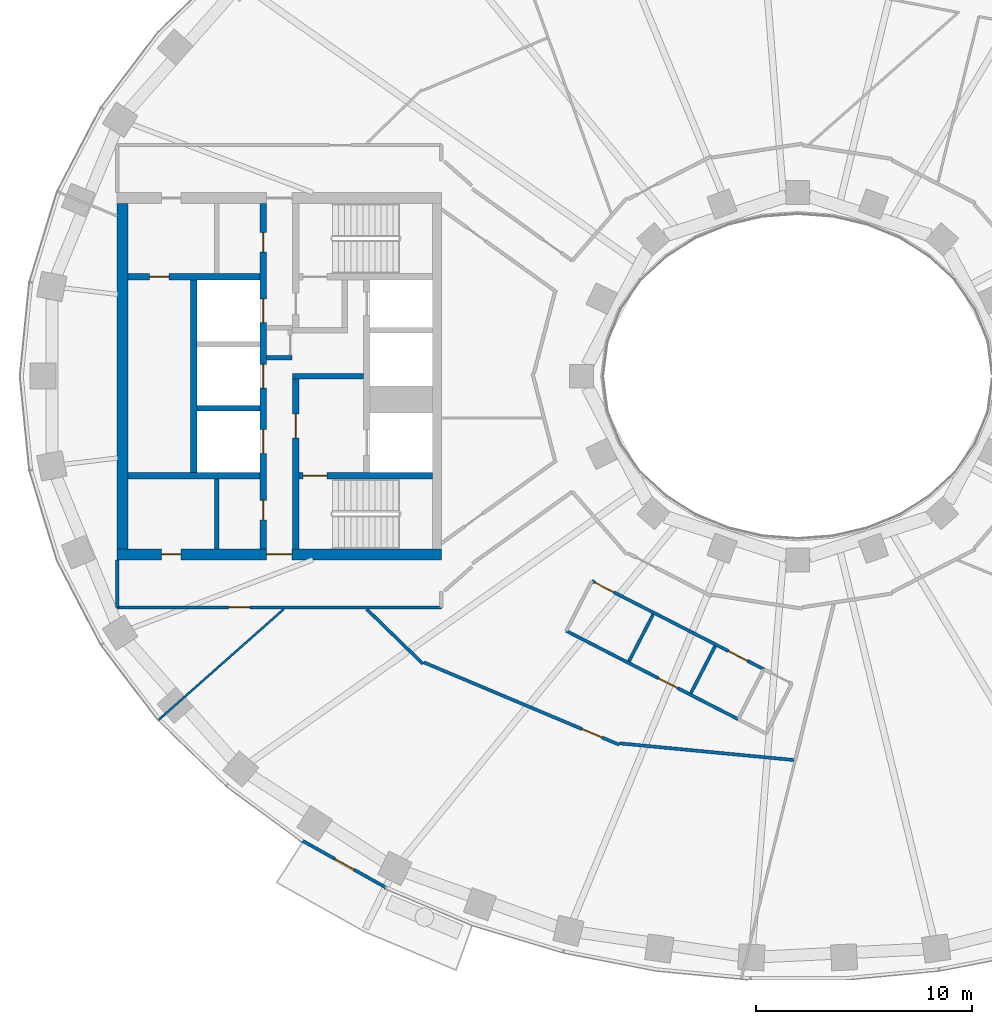
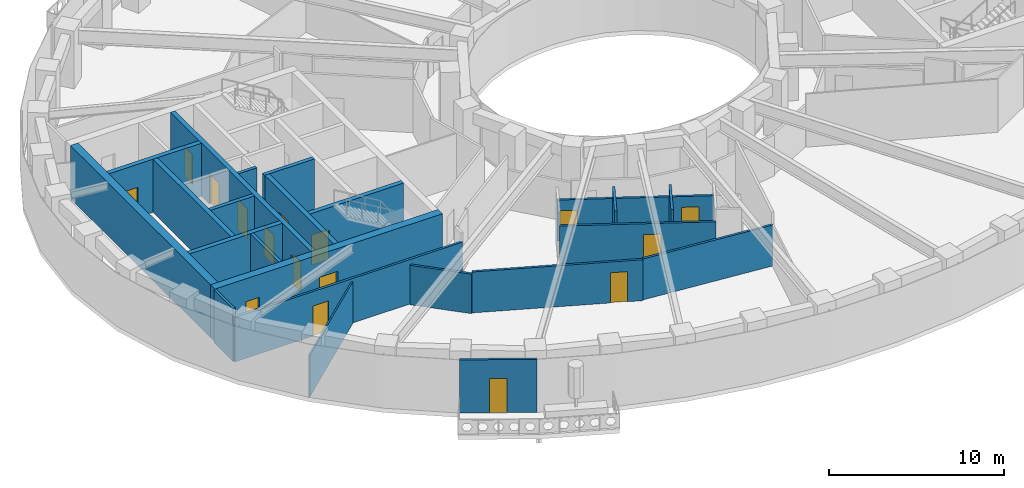
# One storey, part 3 of 15: 23 walls, 16 doors, 16 openings.
"""IFC4 building model written with IfcOpenShell, lengths in metres."""

from ifc_helpers import new_model, si_unit, direction, frame, frame_2d, origin, place, context, subcontext, project, spatial, rectangle, extrude, material, layer, layer_set, type_object, element, fill, save


model = new_model("IFC4")

# Units and contexts
model_context = context("Model", 3, precision=1e-05, world=origin(), true_north=direction((0.0, 1.0)))
body_context = subcontext(model_context, "Body", "Model", "MODEL_VIEW")
ifc_project = project(units=[si_unit("LENGTHUNIT", "METRE"), si_unit("AREAUNIT", "SQUARE_METRE"), si_unit("VOLUMEUNIT", "CUBIC_METRE"), si_unit("PLANEANGLEUNIT", "RADIAN"), si_unit("MASSUNIT", "GRAM", prefix="KILO")], contexts=[model_context])

# Site, building, storey
site_placement = place(None, origin())
site = spatial("IfcSite", under=ifc_project, at=site_placement, CompositionType="ELEMENT")
building_placement = place(site_placement, origin())
building = spatial("IfcBuilding", under=site, at=building_placement, Name="Noorbagh Ring Tower", CompositionType="ELEMENT")
storey_placement = place(building_placement, frame((0.0, 0.0, 170.0)))
storey = spatial("IfcBuildingStorey", under=building, at=storey_placement, Name="L39", CompositionType="ELEMENT", Elevation=170.0)

# Walls
ifc_material_1 = material(Name="Gypsum board on steel studs", Category="steel")
ifc_layer_1 = layer(ifc_material_1, 0.199951171875)
ifc_layer_set_1 = layer_set([ifc_layer_1], Name="Gypsum board on steel studs")
wall_type_1 = type_object("IfcWallType", Name="CORE-PARTITION-200", PredefinedType="PARTITIONING", material=ifc_layer_set_1)
wall_1_placement = place(storey_placement, frame((-23.39990234375, 0.85009765625, 0.0), z_axis=(0.0, 0.0, 1.0), x_axis=(-1.0, 0.0, 0.0)))
element("IfcWall", 1, at=wall_1_placement, inside=storey, type_object=wall_type_1, Name="Core partition W", PredefinedType="PARTITIONING", context=body_context, shape_type="SweptSolid", body=[
    extrude(rectangle(XDim=1.2001953125, YDim=0.199951171875, at=frame_2d((0.60009765625, 0.0))), origin(), (0.0, 0.0, 1.0), 3.699951171875),
])
wall_2_placement = place(storey_placement, frame((-26.89990234375, -8.0, 0.0), z_axis=(0.0, 0.0, 1.0), x_axis=(0.0, 1.0, 0.0)))
element("IfcWall", 2, at=wall_2_placement, inside=storey, type_object=wall_type_1, Name="Core partition W", PredefinedType="PARTITIONING", context=body_context, shape_type="SweptSolid", body=[
    extrude(rectangle(XDim=3.25, YDim=0.199951171875, at=frame_2d((1.625, 0.0))), origin(), (0.0, 0.0, 1.0), 3.699951171875),
])
ifc_material_2 = material(Name="Concrete C60/75", Category="concrete")
ifc_layer_2 = layer(ifc_material_2, 0.25)
ifc_layer_set_2 = layer_set([ifc_layer_2], Name="Concrete C60/75")
wall_type_2 = type_object("IfcWallType", Name="CORE-WALL-250-C60-75-EI120", PredefinedType="SHEAR", material=ifc_layer_set_2)
wall_3_placement = place(storey_placement, frame((-24.89990234375, -1.47509765625, 0.0), z_axis=(0.0, 0.0, 1.0), x_axis=(-1.0, 0.0, 0.0)))
element("IfcWall", 3, at=wall_3_placement, inside=storey, type_object=wall_type_2, Name="Core wall W", PredefinedType="SHEAR", context=body_context, shape_type="SweptSolid", body=[
    extrude(rectangle(XDim=2.900146484375, YDim=0.25, at=frame_2d((1.4501953125, 0.0))), origin(), (0.0, 0.0, 1.0), 3.699951171875),
])
ifc_material_3 = material(Name="Concrete C60/75", Category="concrete")
ifc_layer_3 = layer(ifc_material_3, 0.25)
ifc_layer_set_3 = layer_set([ifc_layer_3], Name="Concrete C60/75")
wall_type_3 = type_object("IfcWallType", Name="CORE-WALL-250-C60-75-EI240", PredefinedType="SHEAR", material=ifc_layer_set_3)
wall_4_placement = place(storey_placement, frame((-20.10009765625, 0.0, 0.0), z_axis=(0.0, 0.0, 1.0), x_axis=(-1.0, 0.0, 0.0)))
element("IfcWall", 4, at=wall_4_placement, inside=storey, type_object=wall_type_3, Name="Core wall W", PredefinedType="SHEAR", context=body_context, shape_type="SweptSolid", body=[
    extrude(rectangle(XDim=3.27978515625, YDim=0.25, at=frame_2d((1.639892578125, 0.0))), origin(), (0.0, 0.0, 1.0), 3.699951171875),
])
ifc_material_4 = material(Name="Concrete C60/75", Category="concrete")
ifc_layer_4 = layer(ifc_material_4, 0.300048828125)
ifc_layer_set_4 = layer_set([ifc_layer_4], Name="Concrete C60/75")
wall_type_4 = type_object("IfcWallType", Name="CORE-WALL-300-C60-75-EI120", PredefinedType="SHEAR", material=ifc_layer_set_4)
wall_5_placement = place(storey_placement, frame((-27.949951171875, -4.449951171875, 0.0), z_axis=(0.0, 0.0, 1.0), x_axis=(0.0, 1.0, 0.0)))
element("IfcWall", 5, at=wall_5_placement, inside=storey, type_object=wall_type_4, Name="Core wall W", PredefinedType="SHEAR", context=body_context, shape_type="SweptSolid", body=[
    extrude(rectangle(XDim=8.89990234375, YDim=0.300048828125, at=frame_2d((4.449951171875, 0.0))), origin(), (0.0, 0.0, 1.0), 3.699951171875),
])

# Wall, openings, doors
wall_6_placement = place(storey_placement, frame((-24.75, -8.0, 0.0), z_axis=(0.0, 0.0, 1.0), x_axis=(0.0, 1.0, 0.0)))
wall_6 = element("IfcWall", 6, at=wall_6_placement, inside=storey, type_object=wall_type_4, Name="Core wall W", PredefinedType="SHEAR", context=body_context, shape_type="SweptSolid", body=[
    extrude(rectangle(XDim=16.0, YDim=0.300048828125, at=frame_2d((8.0, 0.0))), origin(), (0.0, 0.0, 1.0), 3.699951171875),
])
opening_1_placement = place(wall_6_placement, frame((4.425048828125, 0.0, 0.0)))
opening_1 = element("IfcOpeningElement", 7, at=opening_1_placement, cuts=wall_6, Name="Opening L39-CW03", PredefinedType="OPENING", context=body_context, shape_type="SweptSolid", body=[
    extrude(rectangle(XDim=1.10009765625, YDim=2.10009765625, at=frame_2d((0.550048828125, 1.050048828125))), frame((0.0, 0.16015625, 0.0), z_axis=(0.0, -1.0, 0.0), x_axis=(1.0, 0.0, 0.0)), (0.0, 0.0, 1.0), 0.320068359375),
])
opening_2_placement = place(wall_6_placement, frame((7.449951171875, 0.0, 0.0)))
opening_2 = element("IfcOpeningElement", 8, at=opening_2_placement, cuts=wall_6, Name="Opening L39-CW04", PredefinedType="OPENING", context=body_context, shape_type="SweptSolid", body=[
    extrude(rectangle(XDim=1.10009765625, YDim=2.10009765625, at=frame_2d((0.550048828125, 1.050048828125))), frame((0.0, 0.16015625, 0.0), z_axis=(0.0, -1.0, 0.0), x_axis=(1.0, 0.0, 0.0)), (0.0, 0.0, 1.0), 0.320068359375),
])
opening_3_placement = place(wall_6_placement, frame((10.47509765625, 0.0, 0.0)))
opening_3 = element("IfcOpeningElement", 9, at=opening_3_placement, cuts=wall_6, Name="Opening L39-CW05", PredefinedType="OPENING", context=body_context, shape_type="SweptSolid", body=[
    extrude(rectangle(XDim=1.10009765625, YDim=2.10009765625, at=frame_2d((0.550048828125, 1.050048828125))), frame((0.0, 0.16015625, 0.0), z_axis=(0.0, -1.0, 0.0), x_axis=(1.0, 0.0, 0.0)), (0.0, 0.0, 1.0), 0.320068359375),
])
opening_4_placement = place(wall_6_placement, frame((13.75, 0.0, 0.0)))
opening_4 = element("IfcOpeningElement", 10, at=opening_4_placement, cuts=wall_6, Name="Opening L39-CW12", PredefinedType="OPENING", context=body_context, shape_type="SweptSolid", body=[
    extrude(rectangle(XDim=0.89990234375, YDim=2.10009765625, at=frame_2d((0.449951171875, 1.050048828125))), frame((0.0, 0.16015625, 0.0), z_axis=(0.0, -1.0, 0.0), x_axis=(1.0, 0.0, 0.0)), (0.0, 0.0, 1.0), 0.320068359375),
])
opening_5_placement = place(wall_6_placement, frame((1.35009765625, 0.0, 0.0)))
opening_5 = element("IfcOpeningElement", 11, at=opening_5_placement, cuts=wall_6, Name="Opening L39-CW14", PredefinedType="OPENING", context=body_context, shape_type="SweptSolid", body=[
    extrude(rectangle(XDim=0.89990234375, YDim=2.10009765625, at=frame_2d((0.449951171875, 1.050048828125))), frame((0.0, 0.16015625, 0.0), z_axis=(0.0, -1.0, 0.0), x_axis=(1.0, 0.0, 0.0)), (0.0, 0.0, 1.0), 0.320068359375),
])
ifc_material_5 = material(Name="Steel door leaf", Category="steel")
door_type_1 = type_object("IfcDoorType", Name="CORE-DOOR-DROOM", OperationType="SINGLE_SWING_LEFT", PredefinedType="DOOR", material=ifc_material_5)
door_1_placement = place(opening_4_placement, origin())
door_1 = element("IfcDoor", 12, at=door_1_placement, inside=storey, type_object=door_type_1, Name="Core room door L39-CW12", OperationType="SINGLE_SWING_RIGHT", OverallHeight=2.10009765625, OverallWidth=0.89990234375, PredefinedType="DOOR", context=body_context, shape_type="SweptSolid", body=[
    extrude(rectangle(XDim=0.89990234375, YDim=2.10009765625, at=frame_2d((0.449951171875, 1.050048828125))), frame((0.0, 0.02490234375, 0.0), z_axis=(0.0, -1.0, 0.0), x_axis=(1.0, 0.0, 0.0)), (0.0, 0.0, 1.0), 0.050048828125),
])
fill(opening_4, door_1)
door_2_placement = place(opening_5_placement, origin())
door_2 = element("IfcDoor", 13, at=door_2_placement, inside=storey, type_object=door_type_1, Name="Core room door L39-CW14", OperationType="SINGLE_SWING_LEFT", OverallHeight=2.10009765625, OverallWidth=0.89990234375, PredefinedType="DOOR", context=body_context, shape_type="SweptSolid", body=[
    extrude(rectangle(XDim=0.89990234375, YDim=2.10009765625, at=frame_2d((0.449951171875, 1.050048828125))), frame((0.0, 0.02490234375, 0.0), z_axis=(0.0, -1.0, 0.0), x_axis=(1.0, 0.0, 0.0)), (0.0, 0.0, 1.0), 0.050048828125),
])
fill(opening_5, door_2)
ifc_material_6 = material(Name="Steel door leaf", Category="steel")
door_type_2 = type_object("IfcDoorType", Name="CORE-DOOR-LD", OperationType="DOUBLE_DOOR_SLIDING", PredefinedType="DOOR", material=ifc_material_6)
door_3_placement = place(opening_1_placement, origin())
door_3 = element("IfcDoor", 14, at=door_3_placement, inside=storey, type_object=door_type_2, Name="Landing door HR2 L39-CW03", OperationType="DOUBLE_DOOR_SLIDING", OverallHeight=2.10009765625, OverallWidth=1.10009765625, PredefinedType="DOOR", context=body_context, shape_type="SweptSolid", body=[
    extrude(rectangle(XDim=1.10009765625, YDim=2.10009765625, at=frame_2d((0.550048828125, 1.050048828125))), frame((0.0, 0.02490234375, 0.0), z_axis=(0.0, -1.0, 0.0), x_axis=(1.0, 0.0, 0.0)), (0.0, 0.0, 1.0), 0.050048828125),
])
fill(opening_1, door_3)
door_4_placement = place(opening_2_placement, origin())
door_4 = element("IfcDoor", 15, at=door_4_placement, inside=storey, type_object=door_type_2, Name="Landing door HR3 L39-CW04", OperationType="DOUBLE_DOOR_SLIDING", OverallHeight=2.10009765625, OverallWidth=1.10009765625, PredefinedType="DOOR", context=body_context, shape_type="SweptSolid", body=[
    extrude(rectangle(XDim=1.10009765625, YDim=2.10009765625, at=frame_2d((0.550048828125, 1.050048828125))), frame((0.0, 0.02490234375, 0.0), z_axis=(0.0, -1.0, 0.0), x_axis=(1.0, 0.0, 0.0)), (0.0, 0.0, 1.0), 0.050048828125),
])
fill(opening_2, door_4)
door_5_placement = place(opening_3_placement, origin())
door_5 = element("IfcDoor", 16, at=door_5_placement, inside=storey, type_object=door_type_2, Name="Landing door HR4 L39-CW05", OperationType="DOUBLE_DOOR_SLIDING", OverallHeight=2.10009765625, OverallWidth=1.10009765625, PredefinedType="DOOR", context=body_context, shape_type="SweptSolid", body=[
    extrude(rectangle(XDim=1.10009765625, YDim=2.10009765625, at=frame_2d((0.550048828125, 1.050048828125))), frame((0.0, 0.02490234375, 0.0), z_axis=(0.0, -1.0, 0.0), x_axis=(1.0, 0.0, 0.0)), (0.0, 0.0, 1.0), 0.050048828125),
])
fill(opening_3, door_5)

# Wall, opening, door
ifc_material_7 = material(Name="Concrete C60/75", Category="concrete")
ifc_layer_5 = layer(ifc_material_7, 0.300048828125)
ifc_layer_set_5 = layer_set([ifc_layer_5], Name="Concrete C60/75")
wall_type_5 = type_object("IfcWallType", Name="CORE-WALL-300-C60-75-EI240", PredefinedType="SHEAR", material=ifc_layer_set_5)
wall_7_placement = place(storey_placement, frame((-24.89990234375, 4.60009765625, 0.0), z_axis=(0.0, 0.0, 1.0), x_axis=(-1.0, 0.0, 0.0)))
wall_7 = element("IfcWall", 17, at=wall_7_placement, inside=storey, type_object=wall_type_5, Name="Core wall W", PredefinedType="SHEAR", context=body_context, shape_type="SweptSolid", body=[
    extrude(rectangle(XDim=6.10009765625, YDim=0.300048828125, at=frame_2d((3.050048828125, 0.0))), origin(), (0.0, 0.0, 1.0), 3.699951171875),
])
opening_6_placement = place(wall_7_placement, frame((4.199951171875, 0.0, 0.0)))
opening_6 = element("IfcOpeningElement", 18, at=opening_6_placement, cuts=wall_7, Name="Opening L39-CW17", PredefinedType="OPENING", context=body_context, shape_type="SweptSolid", body=[
    extrude(rectangle(XDim=0.89990234375, YDim=2.10009765625, at=frame_2d((0.449951171875, 1.050048828125))), frame((0.0, 0.16015625, 0.0), z_axis=(0.0, -1.0, 0.0), x_axis=(1.0, 0.0, 0.0)), (0.0, 0.0, 1.0), 0.320068359375),
])
door_6_placement = place(opening_6_placement, origin())
door_6 = element("IfcDoor", 19, at=door_6_placement, inside=storey, type_object=door_type_1, Name="Core room door L39-CW17", OperationType="SINGLE_SWING_LEFT", OverallHeight=2.10009765625, OverallWidth=0.89990234375, PredefinedType="DOOR", context=body_context, shape_type="SweptSolid", body=[
    extrude(rectangle(XDim=0.89990234375, YDim=2.10009765625, at=frame_2d((0.449951171875, 1.050048828125))), frame((0.0, 0.02490234375, 0.0), z_axis=(0.0, -1.0, 0.0), x_axis=(1.0, 0.0, 0.0)), (0.0, 0.0, 1.0), 0.050048828125),
])
fill(opening_6, door_6)

# Wall
wall_8_placement = place(storey_placement, frame((-24.89990234375, -4.60009765625, 0.0), z_axis=(0.0, 0.0, 1.0), x_axis=(-1.0, 0.0, 0.0)))
element("IfcWall", 20, at=wall_8_placement, inside=storey, type_object=wall_type_5, Name="Core wall W", PredefinedType="SHEAR", context=body_context, shape_type="SweptSolid", body=[
    extrude(rectangle(XDim=6.10009765625, YDim=0.300048828125, at=frame_2d((3.050048828125, 0.0))), origin(), (0.0, 0.0, 1.0), 3.699951171875),
])

# Wall, opening, door
wall_9_placement = place(storey_placement, frame((-23.22998046875, -8.0, 0.0), z_axis=(0.0, 0.0, 1.0), x_axis=(0.0, 1.0, 0.0)))
wall_9 = element("IfcWall", 21, at=wall_9_placement, inside=storey, type_object=wall_type_5, Name="Core wall W", PredefinedType="SHEAR", context=body_context, shape_type="SweptSolid", body=[
    extrude(rectangle(XDim=7.875, YDim=0.300048828125, at=frame_2d((3.9375, 0.0))), origin(), (0.0, 0.0, 1.0), 3.699951171875),
])
opening_7_placement = place(wall_9_placement, frame((5.14990234375, 0.0, 0.0)))
opening_7 = element("IfcOpeningElement", 22, at=opening_7_placement, cuts=wall_9, Name="Opening L39-CW08", PredefinedType="OPENING", context=body_context, shape_type="SweptSolid", body=[
    extrude(rectangle(XDim=1.10009765625, YDim=2.10009765625, at=frame_2d((0.550048828125, 1.050048828125))), frame((0.0, 0.16015625, 0.0), z_axis=(0.0, -1.0, 0.0), x_axis=(1.0, 0.0, 0.0)), (0.0, 0.0, 1.0), 0.320068359375),
])
ifc_material_8 = material(Name="Steel door leaf", Category="steel")
door_type_3 = type_object("IfcDoorType", Name="CORE-DOOR-DFF", OperationType="SINGLE_SWING_LEFT", PredefinedType="DOOR", material=ifc_material_8)
door_7_placement = place(opening_7_placement, origin())
door_7 = element("IfcDoor", 23, at=door_7_placement, inside=storey, type_object=door_type_3, Name="Firefighting lobby door L39-CW08", OperationType="SINGLE_SWING_LEFT", OverallHeight=2.10009765625, OverallWidth=1.10009765625, PredefinedType="DOOR", context=body_context, shape_type="SweptSolid", body=[
    extrude(rectangle(XDim=1.10009765625, YDim=2.10009765625, at=frame_2d((0.550048828125, 1.050048828125))), frame((0.0, 0.02490234375, 0.0), z_axis=(0.0, -1.0, 0.0), x_axis=(1.0, 0.0, 0.0)), (0.0, 0.0, 1.0), 0.050048828125),
])
fill(opening_7, door_7)

wall_10_placement = place(storey_placement, frame((-16.89990234375, -4.60009765625, 0.0), z_axis=(0.0, 0.0, 1.0), x_axis=(-1.0, 0.0, 0.0)))
wall_10 = element("IfcWall", 24, at=wall_10_placement, inside=storey, type_object=wall_type_5, Name="Core wall W", PredefinedType="SHEAR", context=body_context, shape_type="SweptSolid", body=[
    extrude(rectangle(XDim=6.18017578125, YDim=0.300048828125, at=frame_2d((3.090087890625, 0.0))), origin(), (0.0, 0.0, 1.0), 3.699951171875),
])
opening_8_placement = place(wall_10_placement, frame((4.89990234375, 0.0, 0.0)))
opening_8 = element("IfcOpeningElement", 25, at=opening_8_placement, cuts=wall_10, Name="Opening L39-CW07", PredefinedType="OPENING", context=body_context, shape_type="SweptSolid", body=[
    extrude(rectangle(XDim=1.10009765625, YDim=2.10009765625, at=frame_2d((0.550048828125, 1.050048828125))), frame((0.0, 0.16015625, 0.0), z_axis=(0.0, -1.0, 0.0), x_axis=(1.0, 0.0, 0.0)), (0.0, 0.0, 1.0), 0.320068359375),
])
ifc_material_9 = material(Name="Steel door leaf", Category="steel")
door_type_4 = type_object("IfcDoorType", Name="CORE-DOOR-DSTAIR", OperationType="SINGLE_SWING_LEFT", PredefinedType="DOOR", material=ifc_material_9)
door_8_placement = place(opening_8_placement, origin())
door_8 = element("IfcDoor", 26, at=door_8_placement, inside=storey, type_object=door_type_4, Name="Stair door ST2 L39-CW07", OperationType="SINGLE_SWING_LEFT", OverallHeight=2.10009765625, OverallWidth=1.10009765625, PredefinedType="DOOR", context=body_context, shape_type="SweptSolid", body=[
    extrude(rectangle(XDim=1.10009765625, YDim=2.10009765625, at=frame_2d((0.550048828125, 1.050048828125))), frame((0.0, 0.02490234375, 0.0), z_axis=(0.0, -1.0, 0.0), x_axis=(1.0, 0.0, 0.0)), (0.0, 0.0, 1.0), 0.050048828125),
])
fill(opening_8, door_8)

# Wall, openings, doors
ifc_material_10 = material(Name="Concrete C60/75", Category="concrete")
ifc_layer_6 = layer(ifc_material_10, 0.5)
ifc_layer_set_6 = layer_set([ifc_layer_6], Name="Concrete C60/75")
wall_type_6 = type_object("IfcWallType", Name="CORE-WALL-500-C60-75-EI240", PredefinedType="SHEAR", material=ifc_layer_set_6)
wall_11_placement = place(storey_placement, frame((-16.5, -8.25, 0.0), z_axis=(0.0, 0.0, 1.0), x_axis=(-1.0, 0.0, 0.0)))
wall_11 = element("IfcWall", 27, at=wall_11_placement, inside=storey, type_object=wall_type_6, Name="Core wall W", PredefinedType="SHEAR", context=body_context, shape_type="SweptSolid", body=[
    extrude(rectangle(XDim=15.0, YDim=0.5, at=frame_2d((7.5, 0.0))), origin(), (0.0, 0.0, 1.0), 3.699951171875),
])
opening_9_placement = place(wall_11_placement, frame((6.89990234375, 0.0, 0.0)))
opening_9 = element("IfcOpeningElement", 28, at=opening_9_placement, cuts=wall_11, Name="Opening L39-CW11", PredefinedType="OPENING", context=body_context, shape_type="SweptSolid", body=[
    extrude(rectangle(XDim=1.199951171875, YDim=2.10009765625, at=frame_2d((0.60009765625, 1.050048828125))), frame((0.0, 0.260009765625, 0.0), z_axis=(0.0, -1.0, 0.0), x_axis=(1.0, 0.0, 0.0)), (0.0, 0.0, 1.0), 0.52001953125),
])
opening_10_placement = place(wall_11_placement, frame((12.050048828125, 0.0, 0.0)))
opening_10 = element("IfcOpeningElement", 29, at=opening_10_placement, cuts=wall_11, Name="Opening L39-CW15", PredefinedType="OPENING", context=body_context, shape_type="SweptSolid", body=[
    extrude(rectangle(XDim=0.89990234375, YDim=2.10009765625, at=frame_2d((0.449951171875, 1.050048828125))), frame((0.0, 0.260009765625, 0.0), z_axis=(0.0, -1.0, 0.0), x_axis=(1.0, 0.0, 0.0)), (0.0, 0.0, 1.0), 0.52001953125),
])
door_9_placement = place(opening_10_placement, origin())
door_9 = element("IfcDoor", 30, at=door_9_placement, inside=storey, type_object=door_type_1, Name="Core room door L39-CW15", OperationType="SINGLE_SWING_LEFT", OverallHeight=2.10009765625, OverallWidth=0.89990234375, PredefinedType="DOOR", context=body_context, shape_type="SweptSolid", body=[
    extrude(rectangle(XDim=0.89990234375, YDim=2.10009765625, at=frame_2d((0.449951171875, 1.050048828125))), frame((0.0, 0.02490234375, 0.0), z_axis=(0.0, -1.0, 0.0), x_axis=(1.0, 0.0, 0.0)), (0.0, 0.0, 1.0), 0.050048828125),
])
fill(opening_10, door_9)
ifc_material_11 = material(Name="Steel door leaf", Category="steel")
door_type_5 = type_object("IfcDoorType", Name="CORE-DOOR-PORT", OperationType="DOUBLE_DOOR_DOUBLE_SWING", PredefinedType="DOOR", material=ifc_material_11)
door_10_placement = place(opening_9_placement, origin())
door_10 = element("IfcDoor", 31, at=door_10_placement, inside=storey, type_object=door_type_5, Name="Core entrance door L39-CW11", OperationType="DOUBLE_DOOR_DOUBLE_SWING", OverallHeight=2.10009765625, OverallWidth=1.199951171875, PredefinedType="DOOR", context=body_context, shape_type="SweptSolid", body=[
    extrude(rectangle(XDim=1.199951171875, YDim=2.10009765625, at=frame_2d((0.60009765625, 1.050048828125))), frame((0.0, 0.02490234375, 0.0), z_axis=(0.0, -1.0, 0.0), x_axis=(1.0, 0.0, 0.0)), (0.0, 0.0, 1.0), 0.050048828125),
])
fill(opening_9, door_10)

# Walls
wall_12_placement = place(storey_placement, frame((-31.25, -8.0, 0.0), z_axis=(0.0, 0.0, 1.0), x_axis=(0.0, 1.0, 0.0)))
element("IfcWall", 32, at=wall_12_placement, inside=storey, type_object=wall_type_6, Name="Core wall W", PredefinedType="SHEAR", context=body_context, shape_type="SweptSolid", body=[
    extrude(rectangle(XDim=16.0, YDim=0.5, at=frame_2d((8.0, 0.0))), origin(), (0.0, 0.0, 1.0), 3.699951171875),
])
ifc_material_12 = material(Name="Gypsum board on steel studs", Category="steel")
ifc_layer_7 = layer(ifc_material_12, 0.14990234375)
ifc_layer_set_7 = layer_set([ifc_layer_7], Name="Gypsum board on steel studs")
wall_type_7 = type_object("IfcWallType", Name="CORRIDOR PARTITION 150 EI 30", PredefinedType="PARTITIONING", material=ifc_layer_set_7)
wall_13_placement = place(storey_placement, frame((-31.5, -10.699951171875, 0.0), z_axis=(0.0, 0.0, 1.0), x_axis=(0.0, 1.0, 0.0)))
element("IfcWall", 33, at=wall_13_placement, inside=storey, type_object=wall_type_7, Name="L39/wall/P02", PredefinedType="PARTITIONING", context=body_context, shape_type="SweptSolid", body=[
    extrude(rectangle(XDim=2.199951171875, YDim=0.14990234375, at=frame_2d((1.10009765625, 0.0))), origin(), (0.0, 0.0, 1.0), 3.699951171875),
])

# Wall, opening, door
wall_14_placement = place(storey_placement, frame((-31.5, -10.699951171875, 0.0), z_axis=(0.0, 0.0, 1.0), x_axis=(1.0, 0.0, 0.0)))
wall_14 = element("IfcWall", 34, at=wall_14_placement, inside=storey, type_object=wall_type_7, Name="L39/wall/P03", PredefinedType="PARTITIONING", context=body_context, shape_type="SweptSolid", body=[
    extrude(rectangle(XDim=15.0, YDim=0.14990234375, at=frame_2d((7.5, 0.0))), origin(), (0.0, 0.0, 1.0), 3.10009765625),
])
opening_11_placement = place(wall_14_placement, frame((5.14990234375, 0.0, 0.0)))
opening_11 = element("IfcOpeningElement", 35, at=opening_11_placement, cuts=wall_14, Name="Opening D1", PredefinedType="OPENING", context=body_context, shape_type="SweptSolid", body=[
    extrude(rectangle(XDim=1.0, YDim=2.10009765625, at=frame_2d((0.5, 1.050048828125))), frame((0.0, 0.0849609375, 0.0), z_axis=(0.0, -1.0, 0.0), x_axis=(1.0, 0.0, 0.0)), (0.0, 0.0, 1.0), 0.169921875),
])
ifc_material_13 = material(Name="Timber, painted", Category="wood")
door_type_6 = type_object("IfcDoorType", Name="DOOR 1000 X 2100 FD30", OperationType="SINGLE_SWING_LEFT", PredefinedType="DOOR", material=ifc_material_13)
door_11_placement = place(opening_11_placement, origin())
door_11 = element("IfcDoor", 36, at=door_11_placement, inside=storey, type_object=door_type_6, Name="L39-D06", OperationType="SINGLE_SWING_RIGHT", OverallHeight=2.10009765625, OverallWidth=1.0, PredefinedType="DOOR", context=body_context, shape_type="SweptSolid", body=[
    extrude(rectangle(XDim=1.0, YDim=2.10009765625, at=frame_2d((0.5, 1.050048828125))), frame((0.0, 0.02490234375, 0.0), z_axis=(0.0, -1.0, 0.0), x_axis=(1.0, 0.0, 0.0)), (0.0, 0.0, 1.0), 0.050048828125),
])
fill(opening_11, door_11)

# Wall
wall_15_placement = place(storey_placement, frame((-19.95703125, -10.778076171875, 0.0), z_axis=(0.0, 0.0, 1.0), x_axis=(0.717213172792, -0.696853833148, 0.0)))
element("IfcWall", 37, at=wall_15_placement, inside=storey, type_object=wall_type_7, Name="L39/wall/P07", PredefinedType="PARTITIONING", context=body_context, shape_type="SweptSolid", body=[
    extrude(rectangle(XDim=3.633544921875, YDim=0.14990234375, at=frame_2d((1.81689453125, 0.0))), origin(), (0.0, 0.0, 1.0), 2.75),
])

# Wall, opening, door
wall_16_placement = place(storey_placement, frame((-17.30908203125, -13.24609375, 0.0), z_axis=(0.0, 0.0, 1.0), x_axis=(0.92150277738, -0.388371769417, 0.0)))
wall_16 = element("IfcWall", 38, at=wall_16_placement, inside=storey, type_object=wall_type_7, Name="L39/wall/P09", PredefinedType="PARTITIONING", context=body_context, shape_type="SweptSolid", body=[
    extrude(rectangle(XDim=9.812255859375, YDim=0.14990234375, at=frame_2d((4.90625, 0.0))), origin(), (0.0, 0.0, 1.0), 2.85009765625),
])
opening_12_placement = place(wall_16_placement, frame((7.94384765625, 0.0, 0.0)))
opening_12 = element("IfcOpeningElement", 39, at=opening_12_placement, cuts=wall_16, Name="Opening D1", PredefinedType="OPENING", context=body_context, shape_type="SweptSolid", body=[
    extrude(rectangle(XDim=1.0, YDim=2.10009765625, at=frame_2d((0.5, 1.050048828125))), frame((0.0, 0.0849609375, 0.0), z_axis=(0.0, -1.0, 0.0), x_axis=(1.0, 0.0, 0.0)), (0.0, 0.0, 1.0), 0.169921875),
])
door_12_placement = place(opening_12_placement, origin())
door_12 = element("IfcDoor", 40, at=door_12_placement, inside=storey, type_object=door_type_6, Name="L39-D08", OperationType="SINGLE_SWING_RIGHT", OverallHeight=2.10009765625, OverallWidth=1.0, PredefinedType="DOOR", context=body_context, shape_type="SweptSolid", body=[
    extrude(rectangle(XDim=1.0, YDim=2.10009765625, at=frame_2d((0.5, 1.050048828125))), frame((0.0, 0.02490234375, 0.0), z_axis=(0.0, -1.0, 0.0), x_axis=(1.0, 0.0, 0.0)), (0.0, 0.0, 1.0), 0.050048828125),
])
fill(opening_12, door_12)

wall_17_placement = place(storey_placement, frame((-10.7099609375, -11.791015625, 0.0), z_axis=(0.0, 0.0, 1.0), x_axis=(0.889407716884, -0.457114770214, 0.0)))
wall_17 = element("IfcWall", 41, at=wall_17_placement, inside=storey, type_object=wall_type_7, Name="L39/wall/P22", PredefinedType="PARTITIONING", context=body_context, shape_type="SweptSolid", body=[
    extrude(rectangle(XDim=8.940673828125, YDim=0.14990234375, at=frame_2d((4.47021484375, 0.0))), origin(), (0.0, 0.0, 1.0), 2.85009765625),
])
opening_13_placement = place(wall_17_placement, frame((4.794189453125, 0.0, 0.0)))
opening_13 = element("IfcOpeningElement", 42, at=opening_13_placement, cuts=wall_17, Name="Opening D3", PredefinedType="OPENING", context=body_context, shape_type="SweptSolid", body=[
    extrude(rectangle(XDim=1.0, YDim=2.10009765625, at=frame_2d((0.5, 1.050048828125))), frame((0.0, 0.0849609375, 0.0), z_axis=(0.0, -1.0, 0.0), x_axis=(1.0, 0.0, 0.0)), (0.0, 0.0, 1.0), 0.169921875),
])
ifc_material_14 = material(Name="Timber, painted", Category="wood")
door_type_7 = type_object("IfcDoorType", Name="DOOR 1000 X 2100 WC", OperationType="SINGLE_SWING_LEFT", PredefinedType="DOOR", material=ifc_material_14)
door_13_placement = place(opening_13_placement, origin())
door_13 = element("IfcDoor", 43, at=door_13_placement, inside=storey, type_object=door_type_7, Name="L39-D03", OperationType="SINGLE_SWING_LEFT", OverallHeight=2.10009765625, OverallWidth=1.0, PredefinedType="DOOR", context=body_context, shape_type="SweptSolid", body=[
    extrude(rectangle(XDim=1.0, YDim=2.10009765625, at=frame_2d((0.5, 1.050048828125))), frame((0.0, 0.02490234375, 0.0), z_axis=(0.0, -1.0, 0.0), x_axis=(1.0, 0.0, 0.0)), (0.0, 0.0, 1.0), 0.050048828125),
])
fill(opening_13, door_13)

# Wall, openings, doors
wall_18_placement = place(storey_placement, frame((-9.52587890625, -9.47900390625, 0.0), z_axis=(0.0, 0.0, 1.0), x_axis=(0.889587704396, -0.456764398992, 0.0)))
wall_18 = element("IfcWall", 44, at=wall_18_placement, inside=storey, type_object=wall_type_7, Name="L39/wall/P25", PredefinedType="PARTITIONING", context=body_context, shape_type="SweptSolid", body=[
    extrude(rectangle(XDim=8.943359375, YDim=0.14990234375, at=frame_2d((4.4716796875, 0.0))), origin(), (0.0, 0.0, 1.0), 2.85009765625),
])
opening_14_placement = place(wall_18_placement, frame((0.14990234375, 0.0, 0.0)))
opening_14 = element("IfcOpeningElement", 45, at=opening_14_placement, cuts=wall_18, Name="Opening D3", PredefinedType="OPENING", context=body_context, shape_type="SweptSolid", body=[
    extrude(rectangle(XDim=1.0, YDim=2.10009765625, at=frame_2d((0.5, 1.050048828125))), frame((0.0, 0.0849609375, 0.0), z_axis=(0.0, -1.0, 0.0), x_axis=(1.0, 0.0, 0.0)), (0.0, 0.0, 1.0), 0.169921875),
])
opening_15_placement = place(wall_18_placement, frame((7.097900390625, 0.0, 0.0)))
opening_15 = element("IfcOpeningElement", 46, at=opening_15_placement, cuts=wall_18, Name="Opening D3", PredefinedType="OPENING", context=body_context, shape_type="SweptSolid", body=[
    extrude(rectangle(XDim=1.0, YDim=2.10009765625, at=frame_2d((0.5, 1.050048828125))), frame((0.0, 0.0849609375, 0.0), z_axis=(0.0, -1.0, 0.0), x_axis=(1.0, 0.0, 0.0)), (0.0, 0.0, 1.0), 0.169921875),
])
door_14_placement = place(opening_14_placement, origin())
door_14 = element("IfcDoor", 47, at=door_14_placement, inside=storey, type_object=door_type_7, Name="L39-D02", OperationType="SINGLE_SWING_LEFT", OverallHeight=2.10009765625, OverallWidth=1.0, PredefinedType="DOOR", context=body_context, shape_type="SweptSolid", body=[
    extrude(rectangle(XDim=1.0, YDim=2.10009765625, at=frame_2d((0.5, 1.050048828125))), frame((0.0, 0.02490234375, 0.0), z_axis=(0.0, -1.0, 0.0), x_axis=(1.0, 0.0, 0.0)), (0.0, 0.0, 1.0), 0.050048828125),
])
fill(opening_14, door_14)
door_15_placement = place(opening_15_placement, origin())
door_15 = element("IfcDoor", 48, at=door_15_placement, inside=storey, type_object=door_type_7, Name="L39-D04", OperationType="SINGLE_SWING_RIGHT", OverallHeight=2.10009765625, OverallWidth=1.0, PredefinedType="DOOR", context=body_context, shape_type="SweptSolid", body=[
    extrude(rectangle(XDim=1.0, YDim=2.10009765625, at=frame_2d((0.5, 1.050048828125))), frame((0.0, 0.02490234375, 0.0), z_axis=(0.0, -1.0, 0.0), x_axis=(1.0, 0.0, 0.0)), (0.0, 0.0, 1.0), 0.050048828125),
])
fill(opening_15, door_15)

# Walls
wall_19_placement = place(storey_placement, frame((-8.2509765625, -16.993896484375, 0.0), z_axis=(0.0, 0.0, 1.0), x_axis=(0.995454957633, -0.095233540959, 0.0)))
element("IfcWall", 49, at=wall_19_placement, inside=storey, type_object=wall_type_7, Name="L39/wall/P26", PredefinedType="PARTITIONING", context=body_context, shape_type="SweptSolid", body=[
    extrude(rectangle(XDim=8.170166015625, YDim=0.14990234375, at=frame_2d((4.0849609375, 0.0))), origin(), (0.0, 0.0, 1.0), 2.85009765625),
])
wall_20_placement = place(storey_placement, frame((-7.81201171875, -13.196044921875, 0.0), z_axis=(0.0, 0.0, 1.0), x_axis=(0.457505588377, 0.889206745703, 0.0)))
element("IfcWall", 50, at=wall_20_placement, inside=storey, type_object=wall_type_7, Name="L39/wall/P29", PredefinedType="PARTITIONING", context=body_context, shape_type="SweptSolid", body=[
    extrude(rectangle(XDim=2.450439453125, YDim=0.14990234375, at=frame_2d((1.22509765625, 0.0))), origin(), (0.0, 0.0, 1.0), 3.699951171875),
])
wall_21_placement = place(storey_placement, frame((-4.944091796875, -14.6689453125, 0.0), z_axis=(0.0, 0.0, 1.0), x_axis=(0.457352517402, 0.889285485559, 0.0)))
element("IfcWall", 51, at=wall_21_placement, inside=storey, type_object=wall_type_7, Name="L39/wall/P30", PredefinedType="PARTITIONING", context=body_context, shape_type="SweptSolid", body=[
    extrude(rectangle(XDim=2.44921875, YDim=0.14990234375, at=frame_2d((1.224609375, 0.0))), origin(), (0.0, 0.0, 1.0), 3.699951171875),
])

# Wall, opening, door
ifc_material_15 = material(Name="Insulated aluminium clad panel", Category="aluminium")
ifc_layer_8 = layer(ifc_material_15, 0.14990234375)
ifc_layer_set_8 = layer_set([ifc_layer_8], Name="Insulated aluminium clad panel")
wall_type_8 = type_object("IfcWallType", Name="ENV-WALL-DOOR", PredefinedType="STANDARD", material=ifc_layer_set_8)
wall_22_placement = place(storey_placement, frame((-22.913330078125, -21.508544921875, 0.0), z_axis=(0.0, 0.0, 1.0), x_axis=(0.872046572975, -0.489422899509, 0.0)))
wall_22 = element("IfcWall", 52, at=wall_22_placement, inside=storey, type_object=wall_type_8, Name="Balcony door wall chord 30", PredefinedType="STANDARD", context=body_context, shape_type="SweptSolid", body=[
    extrude(rectangle(XDim=4.425537109375, YDim=0.14990234375, at=frame_2d((2.212890625, 0.0))), origin(), (0.0, 0.0, 1.0), 3.699951171875),
])
opening_16_placement = place(wall_22_placement, frame((1.712646484375, 0.0, 0.0)))
opening_16 = element("IfcOpeningElement", 53, at=opening_16_placement, cuts=wall_22, Name="Opening D-BL", PredefinedType="OPENING", context=body_context, shape_type="SweptSolid", body=[
    extrude(rectangle(XDim=1.0, YDim=2.39990234375, at=frame_2d((0.5, 1.199951171875))), frame((0.0, 0.0849609375, 0.0), z_axis=(0.0, -1.0, 0.0), x_axis=(1.0, 0.0, 0.0)), (0.0, 0.0, 1.0), 0.169921875),
])
ifc_material_16 = material(Name="Aluminium and glass", Category="aluminium")
door_type_8 = type_object("IfcDoorType", Name="ENV-DOOR-BALCONY", OperationType="SINGLE_SWING_LEFT", PredefinedType="DOOR", material=ifc_material_16)
door_16_placement = place(opening_16_placement, origin())
door_16 = element("IfcDoor", 54, at=door_16_placement, inside=storey, type_object=door_type_8, Name="Balcony door chord 30", OperationType="SINGLE_SWING_RIGHT", OverallHeight=2.39990234375, OverallWidth=1.0, PredefinedType="DOOR", context=body_context, shape_type="SweptSolid", body=[
    extrude(rectangle(XDim=1.0, YDim=2.39990234375, at=frame_2d((0.5, 1.199951171875))), frame((0.0, 0.02490234375, 0.0), z_axis=(0.0, -1.0, 0.0), x_axis=(1.0, 0.0, 0.0)), (0.0, 0.0, 1.0), 0.050048828125),
])
fill(opening_16, door_16)

# Wall
ifc_material_17 = material(Name="Gypsum board on steel studs", Category="steel")
ifc_layer_9 = layer(ifc_material_17, 0.10009765625)
ifc_layer_set_9 = layer_set([ifc_layer_9], Name="Gypsum board on steel studs")
wall_type_9 = type_object("IfcWallType", Name="PARTITION 100 GYPSUM", PredefinedType="PARTITIONING", material=ifc_layer_set_9)
wall_23_placement = place(storey_placement, frame((-29.569091796875, -15.89501953125, 0.0), z_axis=(0.0, 0.0, 1.0), x_axis=(0.748985701008, 0.662586160198, 0.0)))
element("IfcWall", 55, at=wall_23_placement, inside=storey, type_object=wall_type_9, Name="L39/wall/P06", PredefinedType="PARTITIONING", context=body_context, shape_type="SweptSolid", body=[
    extrude(rectangle(XDim=7.72265625, YDim=0.10009765625, at=frame_2d((3.861328125, 0.0))), origin(), (0.0, 0.0, 1.0), 2.89990234375),
])

save(model, "model.ifc")
